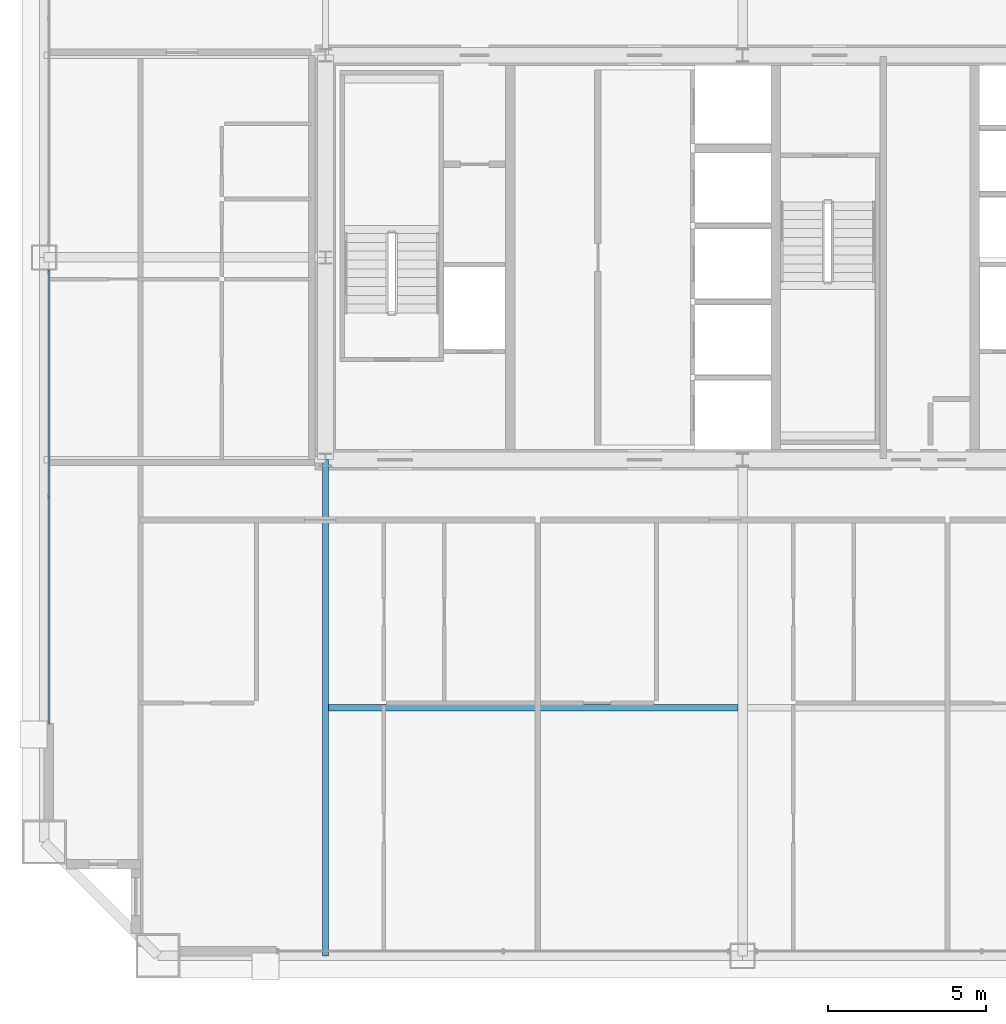
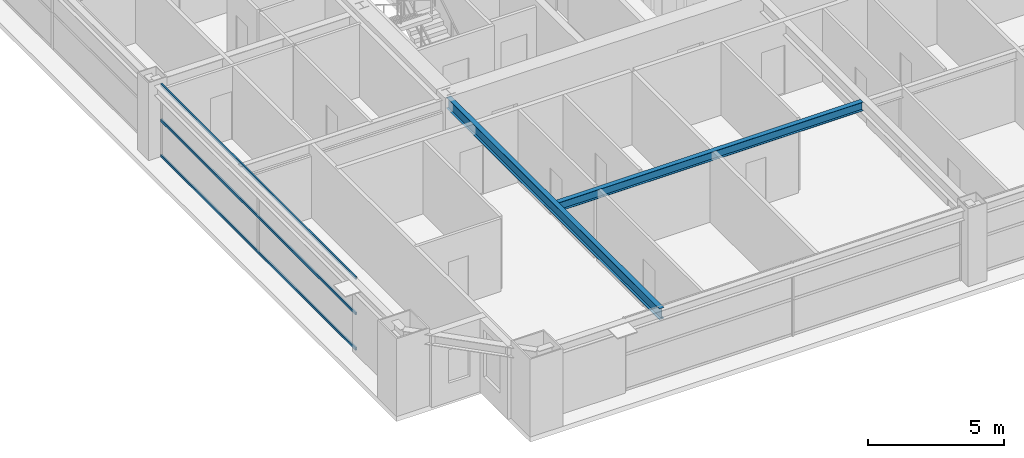
# One storey, part 9 of 38: 3 members, 2 beams, 1 element without a shape of its own.
"""IFC4 building model written with IfcOpenShell, lengths in metres."""

import ifcopenshell
import ifcopenshell.guid

model = None  # the IFC model being written
_history = None  # IfcOwnerHistory: only IFC2X3 demands one
_inside = {}  # id of a spatial element -> (the spatial element, [elements in it])
_under = {}  # id of a project, library or spatial element -> (it, [spatial elements below it])
_declared = {}  # id of a project -> (the project, [libraries it declares])
_typed = {}  # id of a type object -> (the type object, [elements of that type])
_made_of = {}  # id of a material, layer set ... -> (it, [elements and type objects made of it])


def new_model(schema):
    """Start an empty IFC model of exactly this schema.

    Asked for "IFC4X3", IfcOpenShell would pick the latest addendum, in which some entities
    have other attributes; the version numbers below select the first issue.
    IFC2X3 requires an IfcOwnerHistory on every rooted entity: one is made here for all.
    """
    global model, _history
    if schema == "IFC4X3":
        model = ifcopenshell.file(schema_version=(4, 3, 0, 0))
    else:
        model = ifcopenshell.file(schema=schema)
    _inside.clear()
    _under.clear()
    _declared.clear()
    _typed.clear()
    _made_of.clear()
    _history = None
    if model.schema == "IFC2X3":
        org = make("IfcOrganization", Name="unknown")
        user = make(
            "IfcPersonAndOrganization",
            ThePerson=make("IfcPerson", FamilyName="unknown"),
            TheOrganization=org,
        )
        app = make(
            "IfcApplication",
            ApplicationDeveloper=org,
            Version="unknown",
            ApplicationFullName="unknown",
            ApplicationIdentifier="unknown",
        )
        _history = make(
            "IfcOwnerHistory",
            OwningUser=user,
            OwningApplication=app,
            ChangeAction="ADDED",
            CreationDate=0,
        )
    return model


def make(cls, **values):
    """One entity of the class cls with the attributes given. An attribute that is None is left unset."""
    return model.create_entity(
        cls, **{name: value for name, value in values.items() if value is not None}
    )


def rooted(cls, **values):
    """An entity with a GlobalId (a new one), such as an element, a storey or a relation."""
    return make(cls, GlobalId=ifcopenshell.guid.new(), OwnerHistory=_history, **values)


def si_unit(unit_type, name, prefix=None):
    """IfcSIUnit, for example si_unit("LENGTHUNIT", "METRE", prefix="MILLI")."""
    return make("IfcSIUnit", UnitType=unit_type, Prefix=prefix, Name=name)


def assignment(units):
    """IfcUnitAssignment: the units of a project."""
    return None if units is None else make("IfcUnitAssignment", Units=units)


def point(xyz):
    """IfcCartesianPoint."""
    return None if xyz is None else make("IfcCartesianPoint", Coordinates=xyz)


def direction(xyz):
    """IfcDirection."""
    return None if xyz is None else make("IfcDirection", DirectionRatios=xyz)


def frame(location, z_axis=None, x_axis=None):
    """IfcAxis2Placement3D, a coordinate frame: its origin and axes. An axis left out is left unset."""
    return make(
        "IfcAxis2Placement3D",
        Location=point(location),
        Axis=direction(z_axis),
        RefDirection=direction(x_axis),
    )


def frame_2d(location, x_axis=None):
    """IfcAxis2Placement2D, a coordinate frame in the plane: its origin and x axis."""
    return make(
        "IfcAxis2Placement2D", Location=point(location), RefDirection=direction(x_axis)
    )


def origin():
    """The frame at (0, 0, 0) with its axes left unset."""
    return frame((0.0, 0.0, 0.0))


def origin_2d():
    """The frame at (0, 0) in the plane with its x axis left unset."""
    return frame_2d((0.0, 0.0))


def place(relative_to, where):
    """IfcLocalPlacement: puts the frame where relative to a parent placement (None: the world)."""
    return make(
        "IfcLocalPlacement", PlacementRelTo=relative_to, RelativePlacement=where
    )


def context(
    kind, dimensions, precision=None, world=None, true_north=None, identifier=None
):
    """IfcGeometricRepresentationContext, for example the 3D "Model" context."""
    return make(
        "IfcGeometricRepresentationContext",
        ContextIdentifier=identifier,
        ContextType=kind,
        CoordinateSpaceDimension=dimensions,
        Precision=precision,
        WorldCoordinateSystem=world,
        TrueNorth=true_north,
    )


def subcontext(parent, identifier, kind, view, scale=None):
    """IfcGeometricRepresentationSubContext, for example "Body" below "Model"."""
    return make(
        "IfcGeometricRepresentationSubContext",
        ContextIdentifier=identifier,
        ContextType=kind,
        ParentContext=parent,
        TargetScale=scale,
        TargetView=view,
    )


def project(units=None, contexts=None):
    """IfcProject with its units and contexts."""
    return rooted(
        "IfcProject",
        Name="project",
        RepresentationContexts=contexts,
        UnitsInContext=assignment(units),
    )


def spatial(cls, under=None, at=None, **own):
    """A site, building, storey or space (cls), placed at a placement, below another one or the project."""
    s = rooted(cls, ObjectPlacement=at, **own)
    if under is not None:
        _under.setdefault(under.id(), (under, []))[1].append(s)
    return s


def profile(cls, at=None, kind="AREA", **sizes):
    """A parametric profile (cls). Its sizes go by their IFC names, for example OverallWidth=200.0."""
    return make(cls, ProfileType=kind, Position=at, **sizes)


def hollow_rectangle(**sizes):
    """IfcRectangleHollowProfileDef."""
    return profile("IfcRectangleHollowProfileDef", **sizes)


def i_section(**sizes):
    """IfcIShapeProfileDef."""
    return profile("IfcIShapeProfileDef", **sizes)


def extrude(swept, where, along, depth):
    """IfcExtrudedAreaSolid: the profile swept, set in the frame where, extruded along a direction by depth."""
    return make(
        "IfcExtrudedAreaSolid",
        SweptArea=swept,
        Position=where,
        ExtrudedDirection=direction(along),
        Depth=depth,
    )


def shape(context_of_items, identifier, shape_type, items):
    """IfcShapeRepresentation: the items that make up one representation, for example the "Body"."""
    return make(
        "IfcShapeRepresentation",
        ContextOfItems=context_of_items,
        RepresentationIdentifier=identifier,
        RepresentationType=shape_type,
        Items=items,
    )


def source(mapping_origin, context_of_items, identifier, shape_type, items):
    """IfcRepresentationMap: a shape defined once, which mapped items show again and again."""
    return make(
        "IfcRepresentationMap",
        MappingOrigin=mapping_origin,
        MappedRepresentation=shape(context_of_items, identifier, shape_type, items),
    )


def transform(
    local_origin,
    x_axis=None,
    y_axis=None,
    z_axis=None,
    scale=None,
    scale2=None,
    scale3=None,
    uniform=True,
):
    """IfcCartesianTransformationOperator3D, or its non-uniform kind. x_axis, y_axis, z_axis: its Axis1, 2, 3."""
    if uniform:
        return make(
            "IfcCartesianTransformationOperator3D",
            Axis1=direction(x_axis),
            Axis2=direction(y_axis),
            LocalOrigin=point(local_origin),
            Scale=scale,
            Axis3=direction(z_axis),
        )
    return make(
        "IfcCartesianTransformationOperator3DnonUniform",
        Axis1=direction(x_axis),
        Axis2=direction(y_axis),
        LocalOrigin=point(local_origin),
        Scale=scale,
        Axis3=direction(z_axis),
        Scale2=scale2,
        Scale3=scale3,
    )


def mapped(mapping_source, mapping_target):
    """IfcMappedItem: shows the shape of a source again, moved by a transform."""
    return make(
        "IfcMappedItem", MappingSource=mapping_source, MappingTarget=mapping_target
    )


def material(Name=None, Category=None):
    """IfcMaterial."""
    return make("IfcMaterial", Name=Name, Category=Category)


def layer(
    of_material, thickness, ventilated=None, Name=None, Category=None, Priority=None
):
    """IfcMaterialLayer: one layer of a wall or slab, of a material (None: an air gap)."""
    return make(
        "IfcMaterialLayer",
        Material=of_material,
        LayerThickness=thickness,
        IsVentilated=ventilated,
        Name=Name,
        Category=Category,
        Priority=Priority,
    )


def layer_set(layers, Name=None):
    """IfcMaterialLayerSet."""
    return make("IfcMaterialLayerSet", MaterialLayers=layers, LayerSetName=Name)


def material_profile(
    of_material, cross_section, Name=None, Category=None, Priority=None
):
    """IfcMaterialProfile: a cross section and its material."""
    return make(
        "IfcMaterialProfile",
        Name=Name,
        Material=of_material,
        Profile=cross_section,
        Priority=Priority,
        Category=Category,
    )


def profile_set(profiles, Name=None, composite=None):
    """IfcMaterialProfileSet."""
    return make(
        "IfcMaterialProfileSet",
        Name=Name,
        MaterialProfiles=profiles,
        CompositeProfile=composite,
    )


def made_of(thing, what):
    """Note that an element or type object is made of a material, layer set ...; save() writes the relation."""
    if what is not None:
        _made_of.setdefault(what.id(), (what, []))[1].append(thing)
    return thing


def type_object(cls, material=None, **own):
    """A type object (cls), such as IfcWallType, which elements share."""
    return made_of(rooted(cls, **own), material)


def element(
    cls,
    number,
    at=None,
    inside=None,
    cuts=None,
    type_object=None,
    material=None,
    context=None,
    identifier="Body",
    shape_type=None,
    held_by="IfcProductDefinitionShape",
    body=None,
    shapes=None,
    **own,
):
    """One element of the class cls, such as IfcWall. Its Tag is "e" and its number.

    at: its placement. inside: the storey or other place that contains it. cuts: it is an
    opening in that element (IfcRelVoidsElement). A single representation is given by context,
    identifier, shape_type and body (its items); several are given by shapes. held_by: the class
    of the entity that holds the representations. save() writes the other relations.
    """
    e = rooted(cls, Tag="e%d" % number, ObjectPlacement=at, **own)
    if body is not None:
        shapes = [shape(context, identifier, shape_type, body)]
    if shapes is not None:
        e.Representation = make(held_by, Representations=shapes)
    if inside is not None:
        _inside.setdefault(inside.id(), (inside, []))[1].append(e)
    if cuts is not None:
        rooted(
            "IfcRelVoidsElement", RelatingBuildingElement=cuts, RelatedOpeningElement=e
        )
    if type_object is not None:
        _typed.setdefault(type_object.id(), (type_object, []))[1].append(e)
    return made_of(e, material)


def aggregate(whole, parts):
    """IfcRelAggregates: a whole, such as a stair, and the parts it consists of."""
    return rooted("IfcRelAggregates", RelatingObject=whole, RelatedObjects=parts)


def save(model, path):
    """Write the relations noted so far, then the file.

    IfcRelAggregates (storeys below a building ...), IfcRelContainedInSpatialStructure (elements
    in a storey), IfcRelDefinesByType, IfcRelAssociatesMaterial and IfcRelDeclares: one each for
    every whole, place, type object, material and project.
    """
    for whole, parts in _under.values():
        aggregate(whole, parts)
    for where, things in _inside.values():
        rooted(
            "IfcRelContainedInSpatialStructure",
            RelatedElements=things,
            RelatingStructure=where,
        )
    for kind, things in _typed.values():
        rooted("IfcRelDefinesByType", RelatedObjects=things, RelatingType=kind)
    for what, things in _made_of.values():
        rooted("IfcRelAssociatesMaterial", RelatedObjects=things, RelatingMaterial=what)
    for by, libraries in _declared.values():
        rooted("IfcRelDeclares", RelatingContext=by, RelatedDefinitions=libraries)
    model.write(path)


model = new_model("IFC4")

# Units and contexts
model_context = context("Model", 3, precision=1e-05, world=origin(), true_north=direction((0.0, 1.0)))
body_context = subcontext(model_context, "Body", "Model", "MODEL_VIEW")
ifc_project = project(units=[si_unit("LENGTHUNIT", "METRE"), si_unit("AREAUNIT", "SQUARE_METRE"), si_unit("VOLUMEUNIT", "CUBIC_METRE"), si_unit("PLANEANGLEUNIT", "RADIAN"), si_unit("MASSUNIT", "GRAM", prefix="KILO"), si_unit("THERMODYNAMICTEMPERATUREUNIT", "KELVIN"), si_unit("POWERUNIT", "WATT")], contexts=[model_context])

# Site, building, storey
site_placement = place(None, origin())
site = spatial("IfcSite", under=ifc_project, at=site_placement, CompositionType="ELEMENT")
building_placement = place(site_placement, origin())
building = spatial("IfcBuilding", under=site, at=building_placement, Name="Yuzanri Waterfront Tower", CompositionType="ELEMENT")
storey_placement = place(building_placement, frame((0.0, 0.0, 209.0)))
storey = spatial("IfcBuildingStorey", under=building, at=storey_placement, Name="L55", CompositionType="ELEMENT", Elevation=209.0)

# Beams
ifc_material_1 = material(Name="Steel Q355B", Category="steel")
ifc_material_profile_1 = material_profile(ifc_material_1, i_section(OverallWidth=0.199951171875, OverallDepth=0.39990234375, WebThickness=0.008056640625, FlangeThickness=0.012939453125, at=origin_2d()), Name="HN 400x200x8x13")
ifc_profile_set_1 = profile_set([ifc_material_profile_1], Name="Steel Q355B")
beam_type_1 = type_object("IfcBeamType", Name="Floor Joist Q355B HN 400x200", PredefinedType="JOIST", material=ifc_profile_set_1)
shared_shape_1 = source(origin(), body_context, "Body", "SweptSolid", [
    extrude(i_section(OverallWidth=0.199951171875, OverallDepth=0.39990234375, WebThickness=0.008056640625, FlangeThickness=0.012939453125, at=origin_2d()), origin(), (0.0, 0.0, 1.0), 12.9501953125),
])
beam_1_placement = place(storey_placement, frame((23.89990234375, 11.550048828125, 3.080078125), z_axis=(1.0, 0.0, 0.0), x_axis=(0.0, 1.0, 0.0)))
element("IfcBeam", 1, at=beam_1_placement, inside=storey, type_object=beam_type_1, Name="L55 South Bay Joist W", PredefinedType="JOIST", context=body_context, shape_type="MappedRepresentation", body=[
    mapped(shared_shape_1, transform((0.0, 0.0, 0.0), scale=1.0)),
])
ifc_material_2 = material(Name="Steel Q355B", Category="steel")
ifc_material_profile_2 = material_profile(ifc_material_2, i_section(OverallWidth=0.199951171875, OverallDepth=0.5, WebThickness=0.010009765625, FlangeThickness=0.01611328125, at=origin_2d()), Name="HN 500x200x10x16")
ifc_profile_set_2 = profile_set([ifc_material_profile_2], Name="Steel Q355B")
beam_type_2 = type_object("IfcBeamType", Name="Secondary Floor Beam Q355B HN 500x200", PredefinedType="BEAM", material=ifc_profile_set_2)
shared_shape_2 = source(origin(), body_context, "Body", "SweptSolid", [
    extrude(i_section(OverallWidth=0.199951171875, OverallDepth=0.5, WebThickness=0.010009765625, FlangeThickness=0.01611328125, at=origin_2d()), origin(), (0.0, 0.0, 1.0), 15.699951171875),
])
beam_2_placement = place(storey_placement, frame((23.800048828125, 19.39990234375, 3.030029296875), z_axis=(0.0, -1.0, 0.0), x_axis=(1.0, 0.0, 0.0)))
element("IfcBeam", 2, at=beam_2_placement, inside=storey, type_object=beam_type_2, Name="L55 South-West Core Line Beam", PredefinedType="BEAM", context=body_context, shape_type="MappedRepresentation", body=[
    mapped(shared_shape_2, transform((0.0, 0.0, 0.0), scale=1.0)),
])

# Curtain wall, members
ifc_material_3 = material(Name="Anodized Architectural Bronze", Category="metal")
ifc_layer = layer(ifc_material_3, 0.159912109375)
ifc_layer_set = layer_set([ifc_layer], Name="Anodized Architectural Bronze")
curtain_wall_type = type_object("IfcCurtainWallType", Name="Anodized Bronze Mid-Rise Residential Acoustic Unitized Curtain Wall 7200", PredefinedType="NOTDEFINED", material=ifc_layer_set)
curtain_wall_placement = place(storey_placement, origin())
curtain_wall = element("IfcCurtainWall", 3, at=curtain_wall_placement, inside=storey, type_object=curtain_wall_type, Name="L55 Curtain Wall CW-L55-WL", PredefinedType="NOTDEFINED")
ifc_material_4 = material(Name="Anodized Architectural Bronze", Category="metal")
ifc_material_profile_3 = material_profile(ifc_material_4, hollow_rectangle(XDim=0.06494140625, YDim=0.1201171875, WallThickness=0.00341796875, at=origin_2d()), Name="CWT 65x120")
ifc_profile_set_3 = profile_set([ifc_material_profile_3], Name="Anodized Architectural Bronze")
member_type = type_object("IfcMemberType", Name="Anodized Bronze Secondary Curtain-Wall Transom 65x120", PredefinedType="USERDEFINED", material=ifc_profile_set_3)
shared_shape_3 = source(origin(), body_context, "Body", "SweptSolid", [
    extrude(hollow_rectangle(XDim=0.06494140625, YDim=0.1201171875, WallThickness=0.00341796875, at=origin_2d()), origin(), (0.0, 0.0, 1.0), 14.349853515625),
])
member_1_placement = place(storey_placement, frame((15.050048828125, 11.050048828125, 0.050048828125), z_axis=(0.0, 1.0, 0.0), x_axis=(-1.0, 0.0, 0.0)))
member_1 = element("IfcMember", 4, at=member_1_placement, type_object=member_type, Name="CW-L55-WL Transom 1", ObjectType="TRANSOM", PredefinedType="USERDEFINED", context=body_context, shape_type="MappedRepresentation", body=[
    mapped(shared_shape_3, transform((0.0, 0.0, 0.0), scale=1.0)),
])
member_2_placement = place(storey_placement, frame((15.050048828125, 11.050048828125, 1.639892578125), z_axis=(0.0, 1.0, 0.0), x_axis=(-1.0, 0.0, 0.0)))
member_2 = element("IfcMember", 5, at=member_2_placement, type_object=member_type, Name="CW-L55-WL Transom 2", ObjectType="TRANSOM", PredefinedType="USERDEFINED", context=body_context, shape_type="MappedRepresentation", body=[
    mapped(shared_shape_3, transform((0.0, 0.0, 0.0), scale=1.0)),
])
member_3_placement = place(storey_placement, frame((15.050048828125, 11.050048828125, 3.22998046875), z_axis=(0.0, 1.0, 0.0), x_axis=(-1.0, 0.0, 0.0)))
member_3 = element("IfcMember", 6, at=member_3_placement, type_object=member_type, Name="CW-L55-WL Transom 3", ObjectType="TRANSOM", PredefinedType="USERDEFINED", context=body_context, shape_type="MappedRepresentation", body=[
    mapped(shared_shape_3, transform((0.0, 0.0, 0.0), scale=1.0)),
])
aggregate(curtain_wall, [member_1, member_2, member_3])

save(model, "model.ifc")
